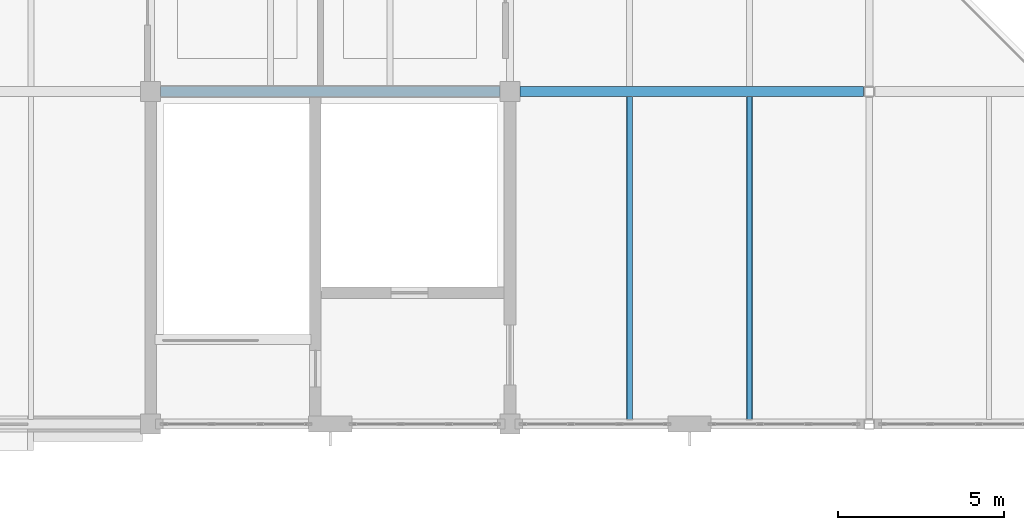
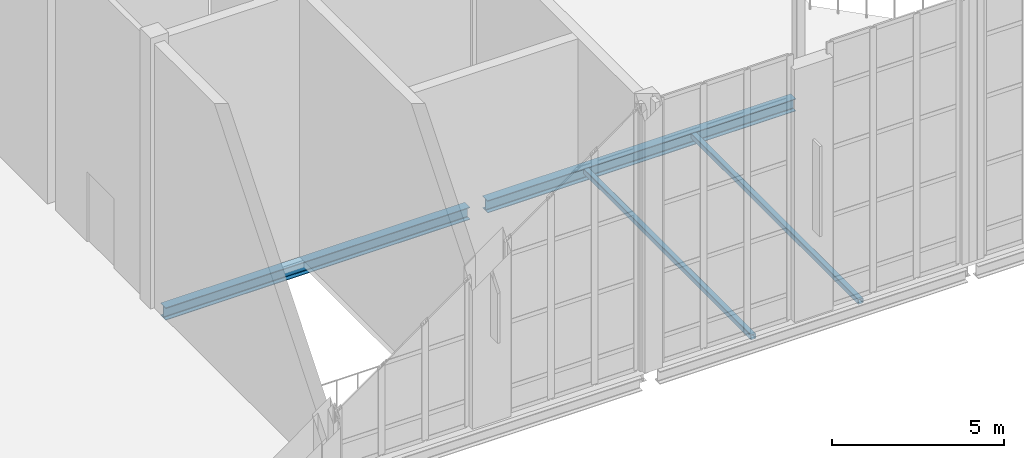
# One storey, part 20 of 100: 4 beams.
"""IFC4 building model written with IfcOpenShell, lengths in metres."""

from ifc_helpers import new_model, si_unit, direction, frame, origin, origin_2d, place, context, subcontext, project, spatial, hollow_rectangle, i_section, extrude, material, material_profile, profile_set, type_object, element, save


model = new_model("IFC4")

# Units and contexts
model_context = context("Model", 3, precision=1e-05, world=origin(), true_north=direction((0.0, 1.0)))
body_context = subcontext(model_context, "Body", "Model", "MODEL_VIEW")
ifc_project = project(units=[si_unit("LENGTHUNIT", "METRE"), si_unit("AREAUNIT", "SQUARE_METRE"), si_unit("VOLUMEUNIT", "CUBIC_METRE"), si_unit("PLANEANGLEUNIT", "RADIAN"), si_unit("MASSUNIT", "GRAM", prefix="KILO")], contexts=[model_context])

# Site, building, storey
site_placement = place(None, origin())
site = spatial("IfcSite", under=ifc_project, at=site_placement, CompositionType="ELEMENT")
building_placement = place(site_placement, origin())
building = spatial("IfcBuilding", under=site, at=building_placement, Name="Tasgan Crest Museum", CompositionType="ELEMENT")
storey_placement = place(building_placement, frame((0.0, 0.0, 14.39990234375)))
storey = spatial("IfcBuildingStorey", under=building, at=storey_placement, Name="L03", CompositionType="ELEMENT", Elevation=14.39990234375)

# Beams
ifc_material_1 = material(Name="Steel S355J2", Category="steel")
ifc_material_profile_1 = material_profile(ifc_material_1, i_section(OverallWidth=0.300048828125, OverallDepth=0.43994140625, WebThickness=0.011474609375, FlangeThickness=0.02099609375, FilletRadius=0.027099609375, at=origin_2d()), Name="HEA 450")
ifc_profile_set_1 = profile_set([ifc_material_profile_1], Name="Steel S355J2")
beam_type_1 = type_object("IfcBeamType", Name="BM-G-HEA450", PredefinedType="BEAM", material=ifc_profile_set_1)
beam_1_placement = place(storey_placement, frame((43.49609375, 50.0, -0.47998046875), z_axis=(1.0, 0.0, 0.0), x_axis=(0.0, 1.0, 0.0)))
element("IfcBeam", 1, at=beam_1_placement, inside=storey, type_object=beam_type_1, Name="Girder L03 F 43.2-54.0", PredefinedType="BEAM", context=body_context, shape_type="SweptSolid", body=[
    extrude(i_section(OverallWidth=0.300048828125, OverallDepth=0.43994140625, WebThickness=0.011474609375, FlangeThickness=0.02099609375, FilletRadius=0.027099609375, at=origin_2d()), origin(), (0.0, 0.0, 1.0), 10.2080078125),
])
beam_2_placement = place(storey_placement, frame((54.2958984375, 50.0, -0.4599609375), z_axis=(1.0, 0.0, 0.0), x_axis=(0.0, 1.0, 0.0)))
element("IfcBeam", 2, at=beam_2_placement, inside=storey, type_object=beam_type_1, Name="Girder L03 F 54.0-64.8", PredefinedType="BEAM", context=body_context, shape_type="SweptSolid", body=[
    extrude(i_section(OverallWidth=0.300048828125, OverallDepth=0.43994140625, WebThickness=0.011474609375, FlangeThickness=0.02099609375, FilletRadius=0.027099609375, at=origin_2d()), origin(), (0.0, 0.0, 1.0), 10.330322265625),
])
ifc_material_2 = material(Name="Steel S355J2", Category="steel")
ifc_material_profile_2 = material_profile(ifc_material_2, hollow_rectangle(XDim=0.179931640625, YDim=0.179931640625, WallThickness=0.010009765625, InnerFilletRadius=0.010009765625, OuterFilletRadius=0.02001953125, at=origin_2d()), Name="SHS 180x180x10")
ifc_profile_set_2 = profile_set([ifc_material_profile_2], Name="Steel S355J2")
beam_type_2 = type_object("IfcBeamType", Name="BM-J-SHS180", PredefinedType="JOIST", material=ifc_profile_set_2)
for number, where, z_axis, x_axis, name in (
    (3, (57.60009765625, 40.14501953125, -0.329833984375), (0.0, 1.0, 0.0), (-1.0, 0.0, 0.0), "Secondary joist L03 X=57.6 Y=40.0-50.0"),
    (4, (61.199951171875, 40.14501953125, -0.329833984375), (0.0, 1.0, 0.0), (-1.0, 0.0, 0.0), "Secondary joist L03 X=61.2 Y=40.0-50.0"),
):
    element("IfcBeam", number, at=place(storey_placement, frame(where, z_axis=z_axis, x_axis=x_axis)), inside=storey, type_object=beam_type_2, Name=name, PredefinedType="JOIST", context=body_context, shape_type="SweptSolid", body=[
        extrude(hollow_rectangle(XDim=0.179931640625, YDim=0.179931640625, WallThickness=0.010009765625, InnerFilletRadius=0.010009765625, OuterFilletRadius=0.02001953125, at=origin_2d()), origin(), (0.0, 0.0, 1.0), 9.7099609375),
    ])

save(model, "model.ifc")
